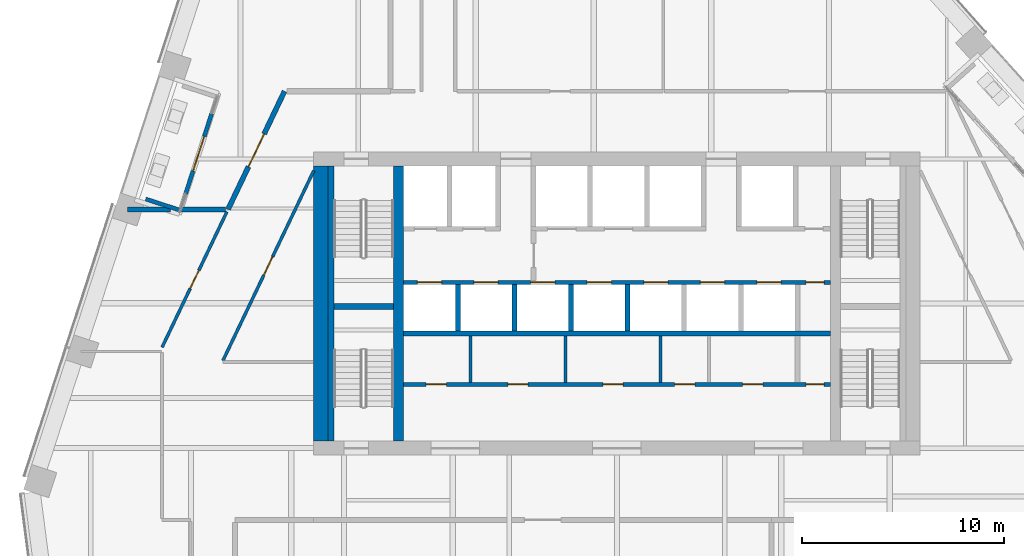
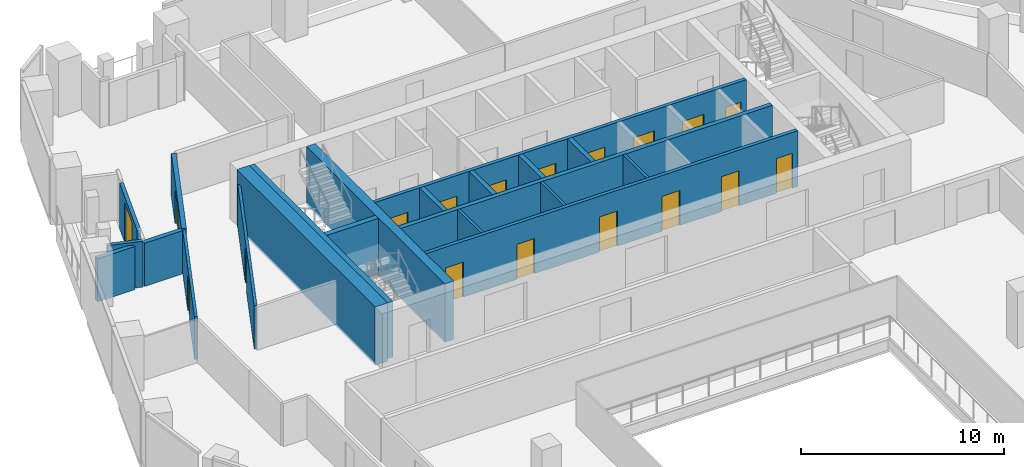
# One storey, part 20 of 26: 21 walls, 18 doors, 18 openings.
"""IFC4 building model written with IfcOpenShell, lengths in metres."""

from ifc_helpers import new_model, si_unit, direction, frame, frame_2d, origin, place, context, subcontext, project, spatial, rectangle, extrude, material, layer, layer_set, type_object, element, fill, save


model = new_model("IFC4")

# Units and contexts
model_context = context("Model", 3, precision=1e-05, world=origin(), true_north=direction((0.0, 1.0)))
body_context = subcontext(model_context, "Body", "Model", "MODEL_VIEW")
ifc_project = project(units=[si_unit("LENGTHUNIT", "METRE"), si_unit("AREAUNIT", "SQUARE_METRE"), si_unit("VOLUMEUNIT", "CUBIC_METRE"), si_unit("PLANEANGLEUNIT", "RADIAN"), si_unit("MASSUNIT", "GRAM", prefix="KILO")], contexts=[model_context])

# Site, building, storey
site_placement = place(None, origin())
site = spatial("IfcSite", under=ifc_project, at=site_placement, CompositionType="ELEMENT")
building_placement = place(site_placement, origin())
building = spatial("IfcBuilding", under=site, at=building_placement, Name="Isthmus Gate Tower", CompositionType="ELEMENT")
storey_placement = place(building_placement, frame((0.0, 0.0, 203.64990234375)))
storey = spatial("IfcBuildingStorey", under=building, at=storey_placement, Name="L51", CompositionType="ELEMENT", Elevation=203.64990234375)

# Wall, opening, door
ifc_material_1 = material(Name="Double-leaf acoustic stud wall, fire-rated", Category="gypsum")
ifc_layer_1 = layer(ifc_material_1, 0.25)
ifc_layer_set_1 = layer_set([ifc_layer_1], Name="ACOUSTIC WALL 250 60 MIN")
wall_type_1 = type_object("IfcWallType", Name="ACOUSTIC WALL 250 60 MIN", PredefinedType="PARTITIONING", material=ifc_layer_set_1)
wall_1_placement = place(storey_placement, frame((-19.239990234375, 12.156005859375, 0.0), z_axis=(0.0, 0.0, 1.0), x_axis=(0.43145149658, 0.902136135014, 0.0)))
wall_1 = element("IfcWall", 1, at=wall_1_placement, inside=storey, type_object=wall_type_1, Name="L51 Acoustic Wall 250 60 Min", PredefinedType="PARTITIONING", context=body_context, shape_type="SweptSolid", body=[
    extrude(rectangle(XDim=6.47802734375, YDim=0.25, at=frame_2d((3.239013671875, 0.0))), origin(), (0.0, 0.0, 1.0), 2.59130859375),
])
opening_1_placement = place(wall_1_placement, frame((2.339111328125, 0.0, 0.0)))
opening_1 = element("IfcOpeningElement", 2, at=opening_1_placement, cuts=wall_1, Name="Opening DT-T4D-02", PredefinedType="OPENING", context=body_context, shape_type="SweptSolid", body=[
    extrude(rectangle(XDim=1.800048828125, YDim=2.10009765625, at=frame_2d((0.89990234375, 1.050048828125))), frame((0.0, 0.135009765625, 0.0), z_axis=(0.0, -1.0, 0.0), x_axis=(1.0, 0.0, 0.0)), (0.0, 0.0, 1.0), 0.27001953125),
])
ifc_material_2 = material(Name="Solid core timber door leaf, fire-rated", Category="wood")
door_type_1 = type_object("IfcDoorType", Name="FIRE DOOR ACOUSTIC ROOM 1800 X 2100 60 MIN", OperationType="DOUBLE_DOOR_DOUBLE_SWING", PredefinedType="DOOR", material=ifc_material_2)
door_1_placement = place(opening_1_placement, origin())
door_1 = element("IfcDoor", 3, at=door_1_placement, inside=storey, type_object=door_type_1, Name="L51 room door", OperationType="DOUBLE_DOOR_DOUBLE_SWING", OverallHeight=2.10009765625, OverallWidth=1.800048828125, PredefinedType="DOOR", context=body_context, shape_type="SweptSolid", body=[
    extrude(rectangle(XDim=1.800048828125, YDim=2.10009765625, at=frame_2d((0.89990234375, 1.050048828125))), frame((0.0, 0.02490234375, 0.0), z_axis=(0.0, -1.0, 0.0), x_axis=(1.0, 0.0, 0.0)), (0.0, 0.0, 1.0), 0.050048828125),
])
fill(opening_1, door_1)

# Walls
wall_2_placement = place(storey_placement, frame((-24.217041015625, 12.156005859375, 0.0), z_axis=(0.0, 0.0, 1.0), x_axis=(1.0, 0.0, 0.0)))
element("IfcWall", 4, at=wall_2_placement, inside=storey, type_object=wall_type_1, Name="L51 Acoustic Wall 250 60 Min", PredefinedType="PARTITIONING", context=body_context, shape_type="SweptSolid", body=[
    extrude(rectangle(XDim=2.1259765625, YDim=0.25, at=frame_2d((1.06298828125, 0.0))), origin(), (0.0, 0.0, 1.0), 2.59130859375),
])
wall_3_placement = place(storey_placement, frame((-21.54150390625, 12.156005859375, 0.0), z_axis=(0.0, 0.0, 1.0), x_axis=(1.0, 0.0, 0.0)))
element("IfcWall", 5, at=wall_3_placement, inside=storey, type_object=wall_type_1, Name="L51 Acoustic Wall 250 60 Min", PredefinedType="PARTITIONING", context=body_context, shape_type="SweptSolid", body=[
    extrude(rectangle(XDim=2.176513671875, YDim=0.25, at=frame_2d((1.08837890625, 0.0))), origin(), (0.0, 0.0, 1.0), 2.59130859375),
])

# Wall, opening, door
ifc_material_3 = material(Name="Gypsum board on steel studs, fire-rated", Category="steel")
ifc_layer_2 = layer(ifc_material_3, 0.14990234375)
ifc_layer_set_2 = layer_set([ifc_layer_2], Name="CORRIDOR WALL 150 60 MIN")
wall_type_2 = type_object("IfcWallType", Name="CORRIDOR WALL 150 60 MIN", PredefinedType="PARTITIONING", material=ifc_layer_set_2)
wall_4_placement = place(storey_placement, frame((-15.0, 14.069091796875, 0.0), z_axis=(0.0, 0.0, 1.0), x_axis=(-0.43146462293, -0.902129857149, 0.0)))
wall_4 = element("IfcWall", 6, at=wall_4_placement, inside=storey, type_object=wall_type_2, Name="L51 Corridor Wall 150 60 Min", PredefinedType="PARTITIONING", context=body_context, shape_type="SweptSolid", body=[
    extrude(rectangle(XDim=10.4130859375, YDim=0.14990234375, at=frame_2d((5.20654296875, 0.0))), origin(), (0.0, 0.0, 1.0), 2.59130859375),
])
opening_2_placement = place(wall_4_placement, frame((4.71484375, 0.0, 0.0)))
opening_2 = element("IfcOpeningElement", 7, at=opening_2_placement, cuts=wall_4, Name="Opening DT-T4D-06", PredefinedType="OPENING", context=body_context, shape_type="SweptSolid", body=[
    extrude(rectangle(XDim=1.0, YDim=2.10009765625, at=frame_2d((0.5, 1.050048828125))), frame((0.0, 0.0849609375, 0.0), z_axis=(0.0, -1.0, 0.0), x_axis=(1.0, 0.0, 0.0)), (0.0, 0.0, 1.0), 0.169921875),
])
ifc_material_4 = material(Name="Solid core timber door leaf, fire-rated", Category="wood")
door_type_2 = type_object("IfcDoorType", Name="FIRE DOOR ROOM 1000 X 2100 60 MIN", OperationType="SINGLE_SWING_LEFT", PredefinedType="DOOR", material=ifc_material_4)
door_2_placement = place(opening_2_placement, origin())
door_2 = element("IfcDoor", 8, at=door_2_placement, inside=storey, type_object=door_type_2, Name="L51 room door", OperationType="SINGLE_SWING_RIGHT", OverallHeight=2.10009765625, OverallWidth=1.0, PredefinedType="DOOR", context=body_context, shape_type="SweptSolid", body=[
    extrude(rectangle(XDim=1.0, YDim=2.10009765625, at=frame_2d((0.5, 1.050048828125))), frame((0.0, 0.02490234375, 0.0), z_axis=(0.0, -1.0, 0.0), x_axis=(1.0, 0.0, 0.0)), (0.0, 0.0, 1.0), 0.050048828125),
])
fill(opening_2, door_2)

wall_5_placement = place(storey_placement, frame((-22.5, 5.340087890625, 0.0), z_axis=(0.0, 0.0, 1.0), x_axis=(0.431478749841, 0.902123100489, 0.0)))
wall_5 = element("IfcWall", 9, at=wall_5_placement, inside=storey, type_object=wall_type_2, Name="L51 Corridor Wall 150 60 Min", PredefinedType="PARTITIONING", context=body_context, shape_type="SweptSolid", body=[
    extrude(rectangle(XDim=7.430419921875, YDim=0.14990234375, at=frame_2d((3.71533203125, 0.0))), origin(), (0.0, 0.0, 1.0), 2.59130859375),
])
opening_3_placement = place(wall_5_placement, frame((3.215087890625, 0.0, 0.0)))
opening_3 = element("IfcOpeningElement", 10, at=opening_3_placement, cuts=wall_5, Name="Opening DT-T4D-05", PredefinedType="OPENING", context=body_context, shape_type="SweptSolid", body=[
    extrude(rectangle(XDim=1.0, YDim=2.10009765625, at=frame_2d((0.5, 1.050048828125))), frame((0.0, 0.0849609375, 0.0), z_axis=(0.0, -1.0, 0.0), x_axis=(1.0, 0.0, 0.0)), (0.0, 0.0, 1.0), 0.169921875),
])
door_3_placement = place(opening_3_placement, origin())
door_3 = element("IfcDoor", 11, at=door_3_placement, inside=storey, type_object=door_type_2, Name="L51 room door", OperationType="SINGLE_SWING_RIGHT", OverallHeight=2.10009765625, OverallWidth=1.0, PredefinedType="DOOR", context=body_context, shape_type="SweptSolid", body=[
    extrude(rectangle(XDim=1.0, YDim=2.10009765625, at=frame_2d((0.5, 1.050048828125))), frame((0.0, 0.02490234375, 0.0), z_axis=(0.0, -1.0, 0.0), x_axis=(1.0, 0.0, 0.0)), (0.0, 0.0, 1.0), 0.050048828125),
])
fill(opening_3, door_3)

ifc_material_5 = material(Name="Precast concrete C40/50", Category="concrete")
ifc_layer_3 = layer(ifc_material_5, 0.199951171875)
ifc_layer_set_3 = layer_set([ifc_layer_3], Name="LOGGIA WALL 200")
wall_type_3 = type_object("IfcWallType", Name="LOGGIA WALL 200", PredefinedType="SOLIDWALL", material=ifc_layer_set_3)
wall_6_placement = place(storey_placement, frame((-20.04345703125, 16.91064453125, 0.0), z_axis=(0.0, 0.0, 1.0), x_axis=(-0.30901640812, -0.951056706781, 0.0)))
wall_6 = element("IfcWall", 12, at=wall_6_placement, inside=storey, type_object=wall_type_3, Name="LOGGIA BACK WALL", PredefinedType="SOLIDWALL", context=body_context, shape_type="SweptSolid", body=[
    extrude(rectangle(XDim=4.199951171875, YDim=0.199951171875, at=frame_2d((2.10009765625, 0.0))), origin(), (0.0, 0.0, 1.0), 2.74365234375),
])
opening_4_placement = place(wall_6_placement, frame((1.199951171875, 0.0, 0.0)))
opening_4 = element("IfcOpeningElement", 13, at=opening_4_placement, cuts=wall_6, Name="Opening DE51-02", PredefinedType="OPENING", context=body_context, shape_type="SweptSolid", body=[
    extrude(rectangle(XDim=1.800048828125, YDim=2.39990234375, at=frame_2d((0.89990234375, 1.199951171875))), frame((0.0, 0.10986328125, 0.0), z_axis=(0.0, -1.0, 0.0), x_axis=(1.0, 0.0, 0.0)), (0.0, 0.0, 1.0), 0.219970703125),
])
ifc_material_6 = material(Name="Aluminium, pale champagne anodised, laminated glass", Category="aluminium")
door_type_3 = type_object("IfcDoorType", Name="LOGGIA DOOR SLIDING 1800 X 2400", OperationType="DOUBLE_DOOR_SLIDING", PredefinedType="DOOR", material=ifc_material_6)
door_4_placement = place(opening_4_placement, origin())
door_4 = element("IfcDoor", 14, at=door_4_placement, inside=storey, type_object=door_type_3, Name="DOOR DE51-02", OperationType="SINGLE_SWING_LEFT", OverallHeight=2.39990234375, OverallWidth=1.800048828125, PredefinedType="DOOR", context=body_context, shape_type="SweptSolid", body=[
    extrude(rectangle(XDim=1.800048828125, YDim=2.39990234375, at=frame_2d((0.89990234375, 1.199951171875))), frame((0.0, 0.02490234375, 0.0), z_axis=(0.0, -1.0, 0.0), x_axis=(1.0, 0.0, 0.0)), (0.0, 0.0, 1.0), 0.050048828125),
])
fill(opening_4, door_4)

# Walls
wall_7_placement = place(storey_placement, frame((-23.314453125, 12.66845703125, 0.0), z_axis=(0.0, 0.0, 1.0), x_axis=(0.951064233263, -0.30899324298, 0.0)))
element("IfcWall", 15, at=wall_7_placement, inside=storey, type_object=wall_type_3, Name="LOGGIA SIDE WALL", PredefinedType="SOLIDWALL", context=body_context, shape_type="SweptSolid", body=[
    extrude(rectangle(XDim=1.7841796875, YDim=0.199951171875, at=frame_2d((0.89208984375, 0.0))), origin(), (0.0, 0.0, 1.0), 2.75),
])
ifc_material_7 = material(Name="Concrete f'c 60 MPa", Category="concrete")
ifc_layer_4 = layer(ifc_material_7, 0.5)
ifc_layer_set_4 = layer_set([ifc_layer_4], Name="RC CORE SPINE WALL 500 F'C 60")
wall_type_4 = type_object("IfcWallType", Name="RC CORE SPINE WALL 500 F'C 60", PredefinedType="SOLIDWALL", material=ifc_layer_set_4)
wall_8_placement = place(storey_placement, frame((-10.800048828125, 0.699951171875, -0.14990234375), z_axis=(0.0, 0.0, 1.0), x_axis=(0.0, 1.0, 0.0)))
element("IfcWall", 16, at=wall_8_placement, inside=storey, type_object=wall_type_4, Name="str-corewall-L51-SPW", PredefinedType="SOLIDWALL", context=body_context, shape_type="SweptSolid", body=[
    extrude(rectangle(XDim=13.60009765625, YDim=0.5, at=frame_2d((6.800048828125, 0.0))), origin(), (0.0, 0.0, 1.0), 3.5),
])
ifc_material_8 = material(Name="Concrete f'c 60 MPa", Category="concrete")
ifc_layer_5 = layer(ifc_material_8, 0.699951171875)
ifc_layer_set_5 = layer_set([ifc_layer_5], Name="RC CORE WALL 700 F'C 60")
wall_type_5 = type_object("IfcWallType", Name="RC CORE WALL 700 F'C 60", PredefinedType="SOLIDWALL", material=ifc_layer_set_5)
wall_9_placement = place(storey_placement, frame((-14.64990234375, 0.699951171875, -0.14990234375), z_axis=(0.0, 0.0, 1.0), x_axis=(0.0, 1.0, 0.0)))
element("IfcWall", 17, at=wall_9_placement, inside=storey, type_object=wall_type_5, Name="str-corewall-L51-W", PredefinedType="SOLIDWALL", context=body_context, shape_type="SweptSolid", body=[
    extrude(rectangle(XDim=13.60009765625, YDim=0.699951171875, at=frame_2d((6.800048828125, 0.0))), origin(), (0.0, 0.0, 1.0), 3.5),
])
ifc_material_9 = material(Name="Gypsum board on steel studs, fire-rated", Category="steel")
ifc_layer_6 = layer(ifc_material_9, 0.14990234375)
ifc_layer_set_6 = layer_set([ifc_layer_6], Name="ROOM PARTITION 150 60 MIN")
wall_type_6 = type_object("IfcWallType", Name="ROOM PARTITION 150 60 MIN", PredefinedType="PARTITIONING", material=ifc_layer_set_6)
for number, where, z_axis, x_axis, name in (
    (18, (-7.25, 3.60009765625, 0.0), (0.0, 0.0, 1.0), (0.0, 1.0, 0.0), "L51 ROOM PARTITION 150 60 MIN"),
    (19, (-2.550048828125, 3.60009765625, 0.0), (0.0, 0.0, 1.0), (0.0, 1.0, 0.0), "L51 ROOM PARTITION 150 60 MIN"),
    (20, (2.14990234375, 3.60009765625, 0.0), (0.0, 0.0, 1.0), (0.0, 1.0, 0.0), "L51 ROOM PARTITION 150 60 MIN"),
):
    element("IfcWall", number, at=place(storey_placement, frame(where, z_axis=z_axis, x_axis=x_axis)), inside=storey, type_object=wall_type_6, Name=name, PredefinedType="PARTITIONING", context=body_context, shape_type="SweptSolid", body=[
        extrude(rectangle(XDim=2.2998046875, YDim=0.14990234375, at=frame_2d((1.14990234375, 0.0))), origin(), (0.0, 0.0, 1.0), 3.35009765625),
    ])

# Wall, openings, doors
ifc_material_10 = material(Name="Fire-rated blockwork masonry, 15 MPa", Category="masonry")
ifc_layer_7 = layer(ifc_material_10, 0.199951171875)
ifc_layer_set_7 = layer_set([ifc_layer_7], Name="SHAFT FRONT WALL 200 120 MIN")
wall_type_7 = type_object("IfcWallType", Name="SHAFT FRONT WALL 200 120 MIN", PredefinedType="PARTITIONING", material=ifc_layer_set_7)
wall_10_placement = place(storey_placement, frame((-10.550048828125, 3.5, 0.0), z_axis=(0.0, 0.0, 1.0), x_axis=(1.0, 0.0, 0.0)))
wall_10 = element("IfcWall", 21, at=wall_10_placement, inside=storey, type_object=wall_type_7, Name="L51 SHAFT FRONT WALL 200 120 MIN", PredefinedType="PARTITIONING", context=body_context, shape_type="SweptSolid", body=[
    extrude(rectangle(XDim=21.10009765625, YDim=0.199951171875, at=frame_2d((10.550048828125, 0.0))), origin(), (0.0, 0.0, 1.0), 3.35009765625),
])
opening_5_placement = place(wall_10_placement, frame((1.112548828125, 0.0, 0.0)))
opening_5 = element("IfcOpeningElement", 22, at=opening_5_placement, cuts=wall_10, Name="Opening DC-A10-02", PredefinedType="OPENING", context=body_context, shape_type="SweptSolid", body=[
    extrude(rectangle(XDim=1.0, YDim=2.10009765625, at=frame_2d((0.5, 1.050048828125))), frame((0.0, 0.10986328125, 0.0), z_axis=(0.0, -1.0, 0.0), x_axis=(1.0, 0.0, 0.0)), (0.0, 0.0, 1.0), 0.219970703125),
])
opening_6_placement = place(wall_10_placement, frame((5.14990234375, 0.0, 0.0)))
opening_6 = element("IfcOpeningElement", 23, at=opening_6_placement, cuts=wall_10, Name="Opening DC-A10-03", PredefinedType="OPENING", context=body_context, shape_type="SweptSolid", body=[
    extrude(rectangle(XDim=1.0, YDim=2.10009765625, at=frame_2d((0.5, 1.050048828125))), frame((0.0, 0.10986328125, 0.0), z_axis=(0.0, -1.0, 0.0), x_axis=(1.0, 0.0, 0.0)), (0.0, 0.0, 1.0), 0.219970703125),
])
opening_7_placement = place(wall_10_placement, frame((9.85009765625, 0.0, 0.0)))
opening_7 = element("IfcOpeningElement", 24, at=opening_7_placement, cuts=wall_10, Name="Opening DC-A10-04", PredefinedType="OPENING", context=body_context, shape_type="SweptSolid", body=[
    extrude(rectangle(XDim=1.0, YDim=2.10009765625, at=frame_2d((0.5, 1.050048828125))), frame((0.0, 0.10986328125, 0.0), z_axis=(0.0, -1.0, 0.0), x_axis=(1.0, 0.0, 0.0)), (0.0, 0.0, 1.0), 0.219970703125),
])
opening_8_placement = place(wall_10_placement, frame((13.39990234375, 0.0, 0.0)))
opening_8 = element("IfcOpeningElement", 25, at=opening_8_placement, cuts=wall_10, Name="Opening DC-A10-05", PredefinedType="OPENING", context=body_context, shape_type="SweptSolid", body=[
    extrude(rectangle(XDim=1.0, YDim=2.10009765625, at=frame_2d((0.5, 1.050048828125))), frame((0.0, 0.10986328125, 0.0), z_axis=(0.0, -1.0, 0.0), x_axis=(1.0, 0.0, 0.0)), (0.0, 0.0, 1.0), 0.219970703125),
])
opening_9_placement = place(wall_10_placement, frame((16.762451171875, 0.0, 0.0)))
opening_9 = element("IfcOpeningElement", 26, at=opening_9_placement, cuts=wall_10, Name="Opening DC-A10-06", PredefinedType="OPENING", context=body_context, shape_type="SweptSolid", body=[
    extrude(rectangle(XDim=1.0, YDim=2.10009765625, at=frame_2d((0.5, 1.050048828125))), frame((0.0, 0.10986328125, 0.0), z_axis=(0.0, -1.0, 0.0), x_axis=(1.0, 0.0, 0.0)), (0.0, 0.0, 1.0), 0.219970703125),
])
opening_10_placement = place(wall_10_placement, frame((19.89990234375, 0.0, 0.0)))
opening_10 = element("IfcOpeningElement", 27, at=opening_10_placement, cuts=wall_10, Name="Opening DC-A10-07", PredefinedType="OPENING", context=body_context, shape_type="SweptSolid", body=[
    extrude(rectangle(XDim=0.89990234375, YDim=2.10009765625, at=frame_2d((0.449951171875, 1.050048828125))), frame((0.0, 0.10986328125, 0.0), z_axis=(0.0, -1.0, 0.0), x_axis=(1.0, 0.0, 0.0)), (0.0, 0.0, 1.0), 0.219970703125),
])
ifc_material_11 = material(Name="Steel door leaf, fire-rated", Category="steel")
door_type_4 = type_object("IfcDoorType", Name="FIRE DOOR 1000 X 2100 60 MIN", OperationType="SINGLE_SWING_LEFT", PredefinedType="DOOR", material=ifc_material_11)
door_5_placement = place(opening_5_placement, origin())
door_5 = element("IfcDoor", 28, at=door_5_placement, inside=storey, type_object=door_type_4, Name="Janitor Store Door", OperationType="SINGLE_SWING_LEFT", OverallHeight=2.10009765625, OverallWidth=1.0, PredefinedType="DOOR", context=body_context, shape_type="SweptSolid", body=[
    extrude(rectangle(XDim=1.0, YDim=2.10009765625, at=frame_2d((0.5, 1.050048828125))), frame((0.0, 0.02490234375, 0.0), z_axis=(0.0, -1.0, 0.0), x_axis=(1.0, 0.0, 0.0)), (0.0, 0.0, 1.0), 0.050048828125),
])
fill(opening_5, door_5)
door_6_placement = place(opening_6_placement, origin())
door_6 = element("IfcDoor", 29, at=door_6_placement, inside=storey, type_object=door_type_4, Name="WC Women Door", OperationType="SINGLE_SWING_RIGHT", OverallHeight=2.10009765625, OverallWidth=1.0, PredefinedType="DOOR", context=body_context, shape_type="SweptSolid", body=[
    extrude(rectangle(XDim=1.0, YDim=2.10009765625, at=frame_2d((0.5, 1.050048828125))), frame((0.0, 0.02490234375, 0.0), z_axis=(0.0, -1.0, 0.0), x_axis=(1.0, 0.0, 0.0)), (0.0, 0.0, 1.0), 0.050048828125),
])
fill(opening_6, door_6)
door_7_placement = place(opening_7_placement, origin())
door_7 = element("IfcDoor", 30, at=door_7_placement, inside=storey, type_object=door_type_4, Name="WC Men Door", OperationType="SINGLE_SWING_LEFT", OverallHeight=2.10009765625, OverallWidth=1.0, PredefinedType="DOOR", context=body_context, shape_type="SweptSolid", body=[
    extrude(rectangle(XDim=1.0, YDim=2.10009765625, at=frame_2d((0.5, 1.050048828125))), frame((0.0, 0.02490234375, 0.0), z_axis=(0.0, -1.0, 0.0), x_axis=(1.0, 0.0, 0.0)), (0.0, 0.0, 1.0), 0.050048828125),
])
fill(opening_7, door_7)
door_8_placement = place(opening_8_placement, origin())
door_8 = element("IfcDoor", 31, at=door_8_placement, inside=storey, type_object=door_type_4, Name="Accessible WC Door", OperationType="SINGLE_SWING_RIGHT", OverallHeight=2.10009765625, OverallWidth=1.0, PredefinedType="DOOR", context=body_context, shape_type="SweptSolid", body=[
    extrude(rectangle(XDim=1.0, YDim=2.10009765625, at=frame_2d((0.5, 1.050048828125))), frame((0.0, 0.02490234375, 0.0), z_axis=(0.0, -1.0, 0.0), x_axis=(1.0, 0.0, 0.0)), (0.0, 0.0, 1.0), 0.050048828125),
])
fill(opening_8, door_8)
door_9_placement = place(opening_9_placement, origin())
door_9 = element("IfcDoor", 32, at=door_9_placement, inside=storey, type_object=door_type_4, Name="Print Room Door", OperationType="SINGLE_SWING_LEFT", OverallHeight=2.10009765625, OverallWidth=1.0, PredefinedType="DOOR", context=body_context, shape_type="SweptSolid", body=[
    extrude(rectangle(XDim=1.0, YDim=2.10009765625, at=frame_2d((0.5, 1.050048828125))), frame((0.0, 0.02490234375, 0.0), z_axis=(0.0, -1.0, 0.0), x_axis=(1.0, 0.0, 0.0)), (0.0, 0.0, 1.0), 0.050048828125),
])
fill(opening_9, door_9)
ifc_material_12 = material(Name="Steel door leaf, fire-rated", Category="steel")
door_type_5 = type_object("IfcDoorType", Name="RISER FIRE DOOR 900 X 2100 90 MIN", OperationType="SINGLE_SWING_LEFT", PredefinedType="DOOR", material=ifc_material_12)
door_10_placement = place(opening_10_placement, origin())
door_10 = element("IfcDoor", 33, at=door_10_placement, inside=storey, type_object=door_type_5, Name="Riser Door", OperationType="SINGLE_SWING_RIGHT", OverallHeight=2.10009765625, OverallWidth=0.89990234375, PredefinedType="DOOR", context=body_context, shape_type="SweptSolid", body=[
    extrude(rectangle(XDim=0.89990234375, YDim=2.10009765625, at=frame_2d((0.449951171875, 1.050048828125))), frame((0.0, 0.02490234375, 0.0), z_axis=(0.0, -1.0, 0.0), x_axis=(1.0, 0.0, 0.0)), (0.0, 0.0, 1.0), 0.050048828125),
])
fill(opening_10, door_10)

wall_11_placement = place(storey_placement, frame((-10.550048828125, 8.550048828125, 0.0), z_axis=(0.0, 0.0, 1.0), x_axis=(1.0, 0.0, 0.0)))
wall_11 = element("IfcWall", 34, at=wall_11_placement, inside=storey, type_object=wall_type_7, Name="L51 SHAFT FRONT WALL 200 120 MIN", PredefinedType="PARTITIONING", context=body_context, shape_type="SweptSolid", body=[
    extrude(rectangle(XDim=21.10009765625, YDim=0.199951171875, at=frame_2d((10.550048828125, 0.0))), origin(), (0.0, 0.0, 1.0), 3.35009765625),
])
opening_11_placement = place(wall_11_placement, frame((0.675048828125, 0.0, 0.0)))
opening_11 = element("IfcOpeningElement", 35, at=opening_11_placement, cuts=wall_11, Name="Opening LD-LB1", PredefinedType="OPENING", context=body_context, shape_type="SweptSolid", body=[
    extrude(rectangle(XDim=1.199951171875, YDim=2.10009765625, at=frame_2d((0.60009765625, 1.050048828125))), frame((0.0, 0.10986328125, 0.0), z_axis=(0.0, -1.0, 0.0), x_axis=(1.0, 0.0, 0.0)), (0.0, 0.0, 1.0), 0.219970703125),
])
opening_12_placement = place(wall_11_placement, frame((3.47509765625, 0.0, 0.0)))
opening_12 = element("IfcOpeningElement", 36, at=opening_12_placement, cuts=wall_11, Name="Opening LD-LB2", PredefinedType="OPENING", context=body_context, shape_type="SweptSolid", body=[
    extrude(rectangle(XDim=1.199951171875, YDim=2.10009765625, at=frame_2d((0.60009765625, 1.050048828125))), frame((0.0, 0.10986328125, 0.0), z_axis=(0.0, -1.0, 0.0), x_axis=(1.0, 0.0, 0.0)), (0.0, 0.0, 1.0), 0.219970703125),
])
opening_13_placement = place(wall_11_placement, frame((6.27490234375, 0.0, 0.0)))
opening_13 = element("IfcOpeningElement", 37, at=opening_13_placement, cuts=wall_11, Name="Opening LD-LB3", PredefinedType="OPENING", context=body_context, shape_type="SweptSolid", body=[
    extrude(rectangle(XDim=1.199951171875, YDim=2.10009765625, at=frame_2d((0.60009765625, 1.050048828125))), frame((0.0, 0.10986328125, 0.0), z_axis=(0.0, -1.0, 0.0), x_axis=(1.0, 0.0, 0.0)), (0.0, 0.0, 1.0), 0.219970703125),
])
opening_14_placement = place(wall_11_placement, frame((9.074951171875, 0.0, 0.0)))
opening_14 = element("IfcOpeningElement", 38, at=opening_14_placement, cuts=wall_11, Name="Opening LD-LB4", PredefinedType="OPENING", context=body_context, shape_type="SweptSolid", body=[
    extrude(rectangle(XDim=1.199951171875, YDim=2.10009765625, at=frame_2d((0.60009765625, 1.050048828125))), frame((0.0, 0.10986328125, 0.0), z_axis=(0.0, -1.0, 0.0), x_axis=(1.0, 0.0, 0.0)), (0.0, 0.0, 1.0), 0.219970703125),
])
opening_15_placement = place(wall_11_placement, frame((11.875, 0.0, 0.0)))
opening_15 = element("IfcOpeningElement", 39, at=opening_15_placement, cuts=wall_11, Name="Opening LD-LB5", PredefinedType="OPENING", context=body_context, shape_type="SweptSolid", body=[
    extrude(rectangle(XDim=1.199951171875, YDim=2.10009765625, at=frame_2d((0.60009765625, 1.050048828125))), frame((0.0, 0.10986328125, 0.0), z_axis=(0.0, -1.0, 0.0), x_axis=(1.0, 0.0, 0.0)), (0.0, 0.0, 1.0), 0.219970703125),
])
opening_16_placement = place(wall_11_placement, frame((14.675048828125, 0.0, 0.0)))
opening_16 = element("IfcOpeningElement", 40, at=opening_16_placement, cuts=wall_11, Name="Opening LD-LB6", PredefinedType="OPENING", context=body_context, shape_type="SweptSolid", body=[
    extrude(rectangle(XDim=1.199951171875, YDim=2.10009765625, at=frame_2d((0.60009765625, 1.050048828125))), frame((0.0, 0.10986328125, 0.0), z_axis=(0.0, -1.0, 0.0), x_axis=(1.0, 0.0, 0.0)), (0.0, 0.0, 1.0), 0.219970703125),
])
opening_17_placement = place(wall_11_placement, frame((17.47509765625, 0.0, 0.0)))
opening_17 = element("IfcOpeningElement", 41, at=opening_17_placement, cuts=wall_11, Name="Opening LD-LB7", PredefinedType="OPENING", context=body_context, shape_type="SweptSolid", body=[
    extrude(rectangle(XDim=1.199951171875, YDim=2.10009765625, at=frame_2d((0.60009765625, 1.050048828125))), frame((0.0, 0.10986328125, 0.0), z_axis=(0.0, -1.0, 0.0), x_axis=(1.0, 0.0, 0.0)), (0.0, 0.0, 1.0), 0.219970703125),
])
opening_18_placement = place(wall_11_placement, frame((19.89990234375, 0.0, 0.0)))
opening_18 = element("IfcOpeningElement", 42, at=opening_18_placement, cuts=wall_11, Name="Opening DC-A10-08", PredefinedType="OPENING", context=body_context, shape_type="SweptSolid", body=[
    extrude(rectangle(XDim=0.89990234375, YDim=2.10009765625, at=frame_2d((0.449951171875, 1.050048828125))), frame((0.0, 0.10986328125, 0.0), z_axis=(0.0, -1.0, 0.0), x_axis=(1.0, 0.0, 0.0)), (0.0, 0.0, 1.0), 0.219970703125),
])
ifc_material_13 = material(Name="Stainless steel sliding leaf", Category="steel")
door_type_6 = type_object("IfcDoorType", Name="LIFT LANDING FIRE DOOR 1200 X 2100 90 MIN", OperationType="DOUBLE_DOOR_SLIDING", PredefinedType="DOOR", material=ifc_material_13)
door_11_placement = place(opening_11_placement, origin())
door_11 = element("IfcDoor", 43, at=door_11_placement, inside=storey, type_object=door_type_6, Name="Lift Landing Door LB1", OperationType="DOUBLE_DOOR_SLIDING", OverallHeight=2.10009765625, OverallWidth=1.199951171875, PredefinedType="DOOR", context=body_context, shape_type="SweptSolid", body=[
    extrude(rectangle(XDim=1.199951171875, YDim=2.10009765625, at=frame_2d((0.60009765625, 1.050048828125))), frame((0.0, 0.02490234375, 0.0), z_axis=(0.0, -1.0, 0.0), x_axis=(1.0, 0.0, 0.0)), (0.0, 0.0, 1.0), 0.050048828125),
])
fill(opening_11, door_11)
door_12_placement = place(opening_12_placement, origin())
door_12 = element("IfcDoor", 44, at=door_12_placement, inside=storey, type_object=door_type_6, Name="Lift Landing Door LB2", OperationType="DOUBLE_DOOR_SLIDING", OverallHeight=2.10009765625, OverallWidth=1.199951171875, PredefinedType="DOOR", context=body_context, shape_type="SweptSolid", body=[
    extrude(rectangle(XDim=1.199951171875, YDim=2.10009765625, at=frame_2d((0.60009765625, 1.050048828125))), frame((0.0, 0.02490234375, 0.0), z_axis=(0.0, -1.0, 0.0), x_axis=(1.0, 0.0, 0.0)), (0.0, 0.0, 1.0), 0.050048828125),
])
fill(opening_12, door_12)
door_13_placement = place(opening_13_placement, origin())
door_13 = element("IfcDoor", 45, at=door_13_placement, inside=storey, type_object=door_type_6, Name="Lift Landing Door LB3", OperationType="DOUBLE_DOOR_SLIDING", OverallHeight=2.10009765625, OverallWidth=1.199951171875, PredefinedType="DOOR", context=body_context, shape_type="SweptSolid", body=[
    extrude(rectangle(XDim=1.199951171875, YDim=2.10009765625, at=frame_2d((0.60009765625, 1.050048828125))), frame((0.0, 0.02490234375, 0.0), z_axis=(0.0, -1.0, 0.0), x_axis=(1.0, 0.0, 0.0)), (0.0, 0.0, 1.0), 0.050048828125),
])
fill(opening_13, door_13)
door_14_placement = place(opening_14_placement, origin())
door_14 = element("IfcDoor", 46, at=door_14_placement, inside=storey, type_object=door_type_6, Name="Lift Landing Door LB4", OperationType="DOUBLE_DOOR_SLIDING", OverallHeight=2.10009765625, OverallWidth=1.199951171875, PredefinedType="DOOR", context=body_context, shape_type="SweptSolid", body=[
    extrude(rectangle(XDim=1.199951171875, YDim=2.10009765625, at=frame_2d((0.60009765625, 1.050048828125))), frame((0.0, 0.02490234375, 0.0), z_axis=(0.0, -1.0, 0.0), x_axis=(1.0, 0.0, 0.0)), (0.0, 0.0, 1.0), 0.050048828125),
])
fill(opening_14, door_14)
door_15_placement = place(opening_15_placement, origin())
door_15 = element("IfcDoor", 47, at=door_15_placement, inside=storey, type_object=door_type_6, Name="Lift Landing Door LB5", OperationType="DOUBLE_DOOR_SLIDING", OverallHeight=2.10009765625, OverallWidth=1.199951171875, PredefinedType="DOOR", context=body_context, shape_type="SweptSolid", body=[
    extrude(rectangle(XDim=1.199951171875, YDim=2.10009765625, at=frame_2d((0.60009765625, 1.050048828125))), frame((0.0, 0.02490234375, 0.0), z_axis=(0.0, -1.0, 0.0), x_axis=(1.0, 0.0, 0.0)), (0.0, 0.0, 1.0), 0.050048828125),
])
fill(opening_15, door_15)
door_16_placement = place(opening_16_placement, origin())
door_16 = element("IfcDoor", 48, at=door_16_placement, inside=storey, type_object=door_type_6, Name="Lift Landing Door LB6", OperationType="DOUBLE_DOOR_SLIDING", OverallHeight=2.10009765625, OverallWidth=1.199951171875, PredefinedType="DOOR", context=body_context, shape_type="SweptSolid", body=[
    extrude(rectangle(XDim=1.199951171875, YDim=2.10009765625, at=frame_2d((0.60009765625, 1.050048828125))), frame((0.0, 0.02490234375, 0.0), z_axis=(0.0, -1.0, 0.0), x_axis=(1.0, 0.0, 0.0)), (0.0, 0.0, 1.0), 0.050048828125),
])
fill(opening_16, door_16)
door_17_placement = place(opening_17_placement, origin())
door_17 = element("IfcDoor", 49, at=door_17_placement, inside=storey, type_object=door_type_6, Name="Lift Landing Door LB7", OperationType="DOUBLE_DOOR_SLIDING", OverallHeight=2.10009765625, OverallWidth=1.199951171875, PredefinedType="DOOR", context=body_context, shape_type="SweptSolid", body=[
    extrude(rectangle(XDim=1.199951171875, YDim=2.10009765625, at=frame_2d((0.60009765625, 1.050048828125))), frame((0.0, 0.02490234375, 0.0), z_axis=(0.0, -1.0, 0.0), x_axis=(1.0, 0.0, 0.0)), (0.0, 0.0, 1.0), 0.050048828125),
])
fill(opening_17, door_17)
door_18_placement = place(opening_18_placement, origin())
door_18 = element("IfcDoor", 50, at=door_18_placement, inside=storey, type_object=door_type_5, Name="Riser Door", OperationType="SINGLE_SWING_RIGHT", OverallHeight=2.10009765625, OverallWidth=0.89990234375, PredefinedType="DOOR", context=body_context, shape_type="SweptSolid", body=[
    extrude(rectangle(XDim=0.89990234375, YDim=2.10009765625, at=frame_2d((0.449951171875, 1.050048828125))), frame((0.0, 0.02490234375, 0.0), z_axis=(0.0, -1.0, 0.0), x_axis=(1.0, 0.0, 0.0)), (0.0, 0.0, 1.0), 0.050048828125),
])
fill(opening_18, door_18)

# Walls
ifc_material_14 = material(Name="Fire-rated blockwork masonry, 15 MPa", Category="masonry")
ifc_layer_8 = layer(ifc_material_14, 0.25)
ifc_layer_set_8 = layer_set([ifc_layer_8], Name="SHAFT WALL 250 120 MIN")
wall_type_8 = type_object("IfcWallType", Name="SHAFT WALL 250 120 MIN", PredefinedType="PARTITIONING", material=ifc_layer_set_8)
wall_12_placement = place(storey_placement, frame((-10.550048828125, 6.02490234375, 0.0), z_axis=(0.0, 0.0, 1.0), x_axis=(1.0, 0.0, 0.0)))
element("IfcWall", 51, at=wall_12_placement, inside=storey, type_object=wall_type_8, Name="L51 SHAFT WALL 250 120 MIN", PredefinedType="PARTITIONING", context=body_context, shape_type="SweptSolid", body=[
    extrude(rectangle(XDim=21.10009765625, YDim=0.25, at=frame_2d((10.550048828125, 0.0))), origin(), (0.0, 0.0, 1.0), 3.35009765625),
])
for number, where, z_axis, x_axis, name in (
    (52, (-7.875, 6.14990234375, 0.0), (0.0, 0.0, 1.0), (0.0, 1.0, 0.0), "L51 SHAFT WALL 250 120 MIN"),
    (53, (-5.074951171875, 6.14990234375, 0.0), (0.0, 0.0, 1.0), (0.0, 1.0, 0.0), "L51 SHAFT WALL 250 120 MIN"),
    (54, (-2.27490234375, 6.14990234375, 0.0), (0.0, 0.0, 1.0), (0.0, 1.0, 0.0), "L51 SHAFT WALL 250 120 MIN"),
    (55, (0.52490234375, 6.14990234375, 0.0), (0.0, 0.0, 1.0), (0.0, 1.0, 0.0), "L51 SHAFT WALL 250 120 MIN"),
):
    element("IfcWall", number, at=place(storey_placement, frame(where, z_axis=z_axis, x_axis=x_axis)), inside=storey, type_object=wall_type_8, Name=name, PredefinedType="PARTITIONING", context=body_context, shape_type="SweptSolid", body=[
        extrude(rectangle(XDim=2.300048828125, YDim=0.25, at=frame_2d((1.14990234375, 0.0))), origin(), (0.0, 0.0, 1.0), 3.35009765625),
    ])
ifc_material_15 = material(Name="Concrete f'c 40 MPa", Category="concrete")
ifc_layer_9 = layer(ifc_material_15, 0.300048828125)
ifc_layer_set_9 = layer_set([ifc_layer_9], Name="STAIR ENCLOSURE WALL 300 180 MIN")
wall_type_9 = type_object("IfcWallType", Name="STAIR ENCLOSURE WALL 300 180 MIN", PredefinedType="SOLIDWALL", material=ifc_layer_set_9)
wall_13_placement = place(storey_placement, frame((-14.0, 7.35009765625, 0.0), z_axis=(0.0, 0.0, 1.0), x_axis=(1.0, 0.0, 0.0)))
element("IfcWall", 56, at=wall_13_placement, inside=storey, type_object=wall_type_9, Name="L51 STAIR ENCLOSURE WALL 300 180 MIN", PredefinedType="SOLIDWALL", context=body_context, shape_type="SweptSolid", body=[
    extrude(rectangle(XDim=2.949951171875, YDim=0.300048828125, at=frame_2d((1.47509765625, 0.0))), origin(), (0.0, 0.0, 1.0), 3.35009765625),
])
wall_14_placement = place(storey_placement, frame((-14.14990234375, 0.699951171875, 0.0), z_axis=(0.0, 0.0, 1.0), x_axis=(0.0, 1.0, 0.0)))
element("IfcWall", 57, at=wall_14_placement, inside=storey, type_object=wall_type_9, Name="L51 STAIR ENCLOSURE WALL 300 180 MIN", PredefinedType="SOLIDWALL", context=body_context, shape_type="SweptSolid", body=[
    extrude(rectangle(XDim=13.60009765625, YDim=0.300048828125, at=frame_2d((6.800048828125, 0.0))), origin(), (0.0, 0.0, 1.0), 3.35009765625),
])

save(model, "model.ifc")
